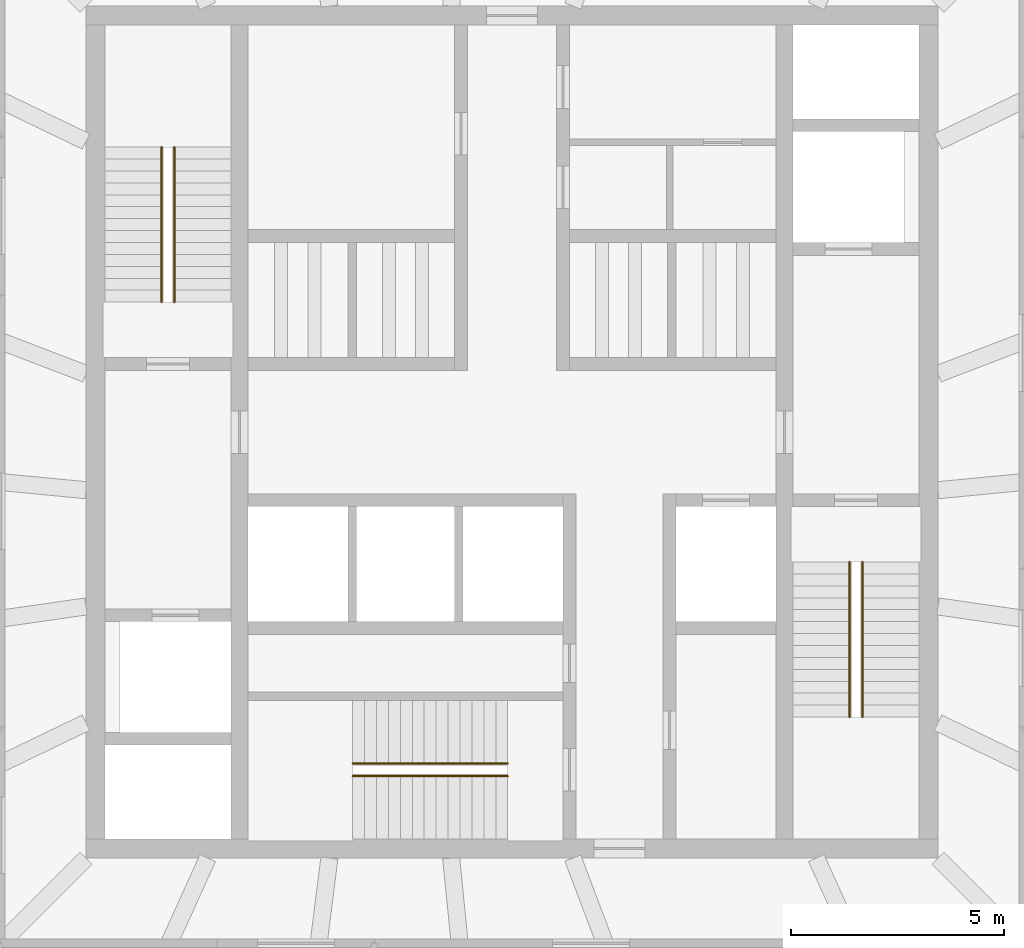
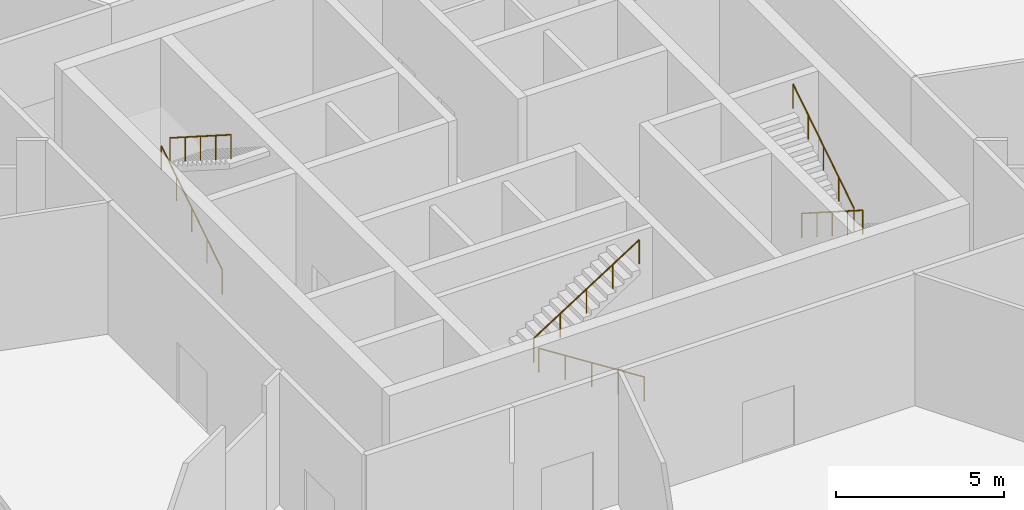
# One storey, part 15 of 15: 6 railings.
"""IFC4 building model written with IfcOpenShell, lengths in metres."""

from ifc_helpers import new_model, si_unit, direction, frame, origin, origin_2d, place, context, subcontext, project, spatial, circle, extrude, material, type_object, element, save


model = new_model("IFC4")

# Units and contexts
model_context = context("Model", 3, precision=1e-05, world=origin(), true_north=direction((0.0, 1.0)))
body_context = subcontext(model_context, "Body", "Model", "MODEL_VIEW")
ifc_project = project(units=[si_unit("LENGTHUNIT", "METRE"), si_unit("AREAUNIT", "SQUARE_METRE"), si_unit("VOLUMEUNIT", "CUBIC_METRE"), si_unit("PLANEANGLEUNIT", "RADIAN"), si_unit("MASSUNIT", "GRAM", prefix="KILO")], contexts=[model_context])

# Site, building, storey
site_placement = place(None, origin())
site = spatial("IfcSite", under=ifc_project, at=site_placement, CompositionType="ELEMENT")
building_placement = place(site_placement, origin())
building = spatial("IfcBuilding", under=site, at=building_placement, Name="Golbaran Civic Tower", CompositionType="ELEMENT")
storey_placement = place(building_placement, frame((0.0, 0.0, 215.0)))
storey = spatial("IfcBuildingStorey", under=building, at=storey_placement, Name="L52", CompositionType="ELEMENT", Elevation=215.0)

# Railings
ifc_material = material(Name="Stainless steel", Category="steel")
railing_type = type_object("IfcRailingType", Name="STAIR HANDRAIL 900", PredefinedType="HANDRAIL", material=ifc_material)
railing_1_placement = place(storey_placement, frame((-8.22509765625, 3.050048828125, 0.178466796875)))
element("IfcRailing", 1, at=railing_1_placement, inside=storey, type_object=railing_type, Name="Stair S1 handrail flight 1 L52", PredefinedType="HANDRAIL", context=body_context, shape_type="SweptSolid", body=[
    extrude(circle(Radius=0.02392578125, at=origin_2d()), frame((0.0, 0.0, 0.8759765625), z_axis=(0.0, 0.843111507901, 0.53773877045), x_axis=(-1.0, 0.0, 0.0)), (0.0, 0.0, 1.0), 4.317138671875),
    extrude(circle(Radius=0.02099609375, at=origin_2d()), origin(), (0.0, 0.0, 1.0), 0.851806640625),
    extrude(circle(Radius=0.02099609375, at=origin_2d()), frame((0.0, 0.909912109375, 0.580322265625)), (0.0, 0.0, 1.0), 0.851806640625),
    extrude(circle(Radius=0.02099609375, at=origin_2d()), frame((0.0, 1.81982421875, 1.16064453125)), (0.0, 0.0, 1.0), 0.851806640625),
    extrude(circle(Radius=0.02099609375, at=origin_2d()), frame((0.0, 2.72998046875, 1.7412109375)), (0.0, 0.0, 1.0), 0.851806640625),
    extrude(circle(Radius=0.02099609375, at=origin_2d()), frame((0.0, 3.639892578125, 2.321533203125)), (0.0, 0.0, 1.0), 0.851806640625),
])
for number, where, name in (
    (2, (-7.925048828125, 6.68994140625, 2.678466796875), "Stair S1 handrail flight 2 L52"),
    (3, (8.22509765625, -3.050048828125, 0.178466796875), "Stair S2 handrail flight 1 L52"),
):
    element("IfcRailing", number, at=place(storey_placement, frame(where)), inside=storey, type_object=railing_type, Name=name, PredefinedType="HANDRAIL", context=body_context, shape_type="SweptSolid", body=[
        extrude(circle(Radius=0.02392578125, at=origin_2d()), frame((0.0, 0.0, 0.8759765625), z_axis=(0.0, -0.843111507901, 0.53773877045), x_axis=(1.0, 0.0, 0.0)), (0.0, 0.0, 1.0), 4.317138671875),
        extrude(circle(Radius=0.02099609375, at=origin_2d()), origin(), (0.0, 0.0, 1.0), 0.851806640625),
        extrude(circle(Radius=0.02099609375, at=origin_2d()), frame((0.0, -0.909912109375, 0.580322265625)), (0.0, 0.0, 1.0), 0.851806640625),
        extrude(circle(Radius=0.02099609375, at=origin_2d()), frame((0.0, -1.81982421875, 1.16064453125)), (0.0, 0.0, 1.0), 0.851806640625),
        extrude(circle(Radius=0.02099609375, at=origin_2d()), frame((0.0, -2.72998046875, 1.7412109375)), (0.0, 0.0, 1.0), 0.851806640625),
        extrude(circle(Radius=0.02099609375, at=origin_2d()), frame((0.0, -3.639892578125, 2.321533203125)), (0.0, 0.0, 1.0), 0.851806640625),
    ])
railing_2_placement = place(storey_placement, frame((7.925048828125, -6.68994140625, 2.678466796875)))
element("IfcRailing", 4, at=railing_2_placement, inside=storey, type_object=railing_type, Name="Stair S2 handrail flight 2 L52", PredefinedType="HANDRAIL", context=body_context, shape_type="SweptSolid", body=[
    extrude(circle(Radius=0.02392578125, at=origin_2d()), frame((0.0, 0.0, 0.8759765625), z_axis=(0.0, 0.843111507901, 0.53773877045), x_axis=(-1.0, 0.0, 0.0)), (0.0, 0.0, 1.0), 4.317138671875),
    extrude(circle(Radius=0.02099609375, at=origin_2d()), origin(), (0.0, 0.0, 1.0), 0.851806640625),
    extrude(circle(Radius=0.02099609375, at=origin_2d()), frame((0.0, 0.909912109375, 0.580322265625)), (0.0, 0.0, 1.0), 0.851806640625),
    extrude(circle(Radius=0.02099609375, at=origin_2d()), frame((0.0, 1.81982421875, 1.16064453125)), (0.0, 0.0, 1.0), 0.851806640625),
    extrude(circle(Radius=0.02099609375, at=origin_2d()), frame((0.0, 2.72998046875, 1.7412109375)), (0.0, 0.0, 1.0), 0.851806640625),
    extrude(circle(Radius=0.02099609375, at=origin_2d()), frame((0.0, 3.639892578125, 2.321533203125)), (0.0, 0.0, 1.0), 0.851806640625),
])
railing_3_placement = place(storey_placement, frame((-0.10009765625, -8.074951171875, 0.178466796875)))
element("IfcRailing", 5, at=railing_3_placement, inside=storey, type_object=railing_type, Name="Stair S3 handrail flight 1 L52", PredefinedType="HANDRAIL", context=body_context, shape_type="SweptSolid", body=[
    extrude(circle(Radius=0.02392578125, at=origin_2d()), frame((0.0, 0.0, 0.8759765625), z_axis=(-0.843111507901, 0.0, 0.53773877045), x_axis=(0.0, -1.0, 0.0)), (0.0, 0.0, 1.0), 4.317138671875),
    extrude(circle(Radius=0.02099609375, at=origin_2d()), origin(), (0.0, 0.0, 1.0), 0.851806640625),
    extrude(circle(Radius=0.02099609375, at=origin_2d()), frame((-0.909912109375, 0.0, 0.580322265625)), (0.0, 0.0, 1.0), 0.851806640625),
    extrude(circle(Radius=0.02099609375, at=origin_2d()), frame((-1.81982421875, 0.0, 1.16064453125)), (0.0, 0.0, 1.0), 0.851806640625),
    extrude(circle(Radius=0.02099609375, at=origin_2d()), frame((-2.72998046875, 0.0, 1.7412109375)), (0.0, 0.0, 1.0), 0.851806640625),
    extrude(circle(Radius=0.02099609375, at=origin_2d()), frame((-3.639892578125, 0.0, 2.321533203125)), (0.0, 0.0, 1.0), 0.851806640625),
])
railing_4_placement = place(storey_placement, frame((-3.739990234375, -7.77490234375, 2.678466796875)))
element("IfcRailing", 6, at=railing_4_placement, inside=storey, type_object=railing_type, Name="Stair S3 handrail flight 2 L52", PredefinedType="HANDRAIL", context=body_context, shape_type="SweptSolid", body=[
    extrude(circle(Radius=0.02392578125, at=origin_2d()), frame((0.0, 0.0, 0.8759765625), z_axis=(0.843111507901, 0.0, 0.53773877045), x_axis=(0.0, 1.0, 0.0)), (0.0, 0.0, 1.0), 4.317138671875),
    extrude(circle(Radius=0.02099609375, at=origin_2d()), origin(), (0.0, 0.0, 1.0), 0.851806640625),
    extrude(circle(Radius=0.02099609375, at=origin_2d()), frame((0.909912109375, 0.0, 0.580322265625)), (0.0, 0.0, 1.0), 0.851806640625),
    extrude(circle(Radius=0.02099609375, at=origin_2d()), frame((1.81982421875, 0.0, 1.16064453125)), (0.0, 0.0, 1.0), 0.851806640625),
    extrude(circle(Radius=0.02099609375, at=origin_2d()), frame((2.72998046875, 0.0, 1.7412109375)), (0.0, 0.0, 1.0), 0.851806640625),
    extrude(circle(Radius=0.02099609375, at=origin_2d()), frame((3.639892578125, 0.0, 2.321533203125)), (0.0, 0.0, 1.0), 0.851806640625),
])

save(model, "model.ifc")
